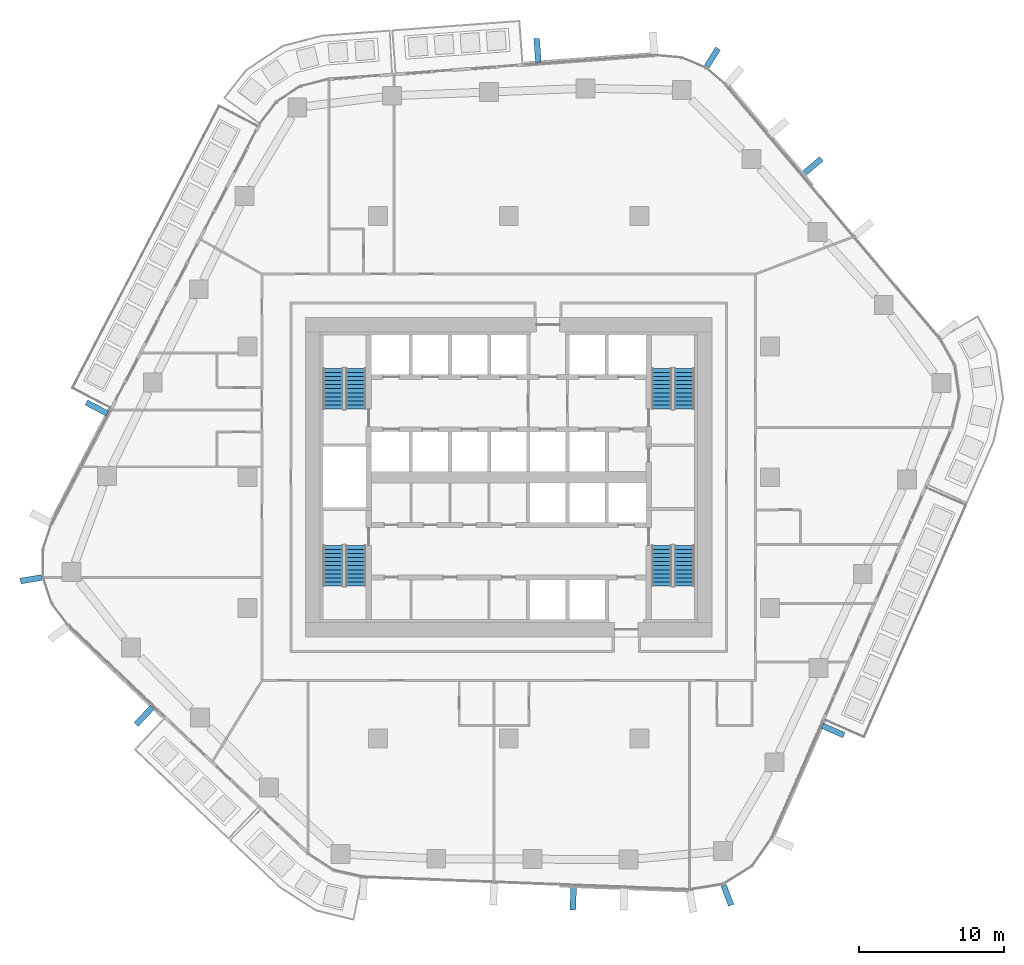
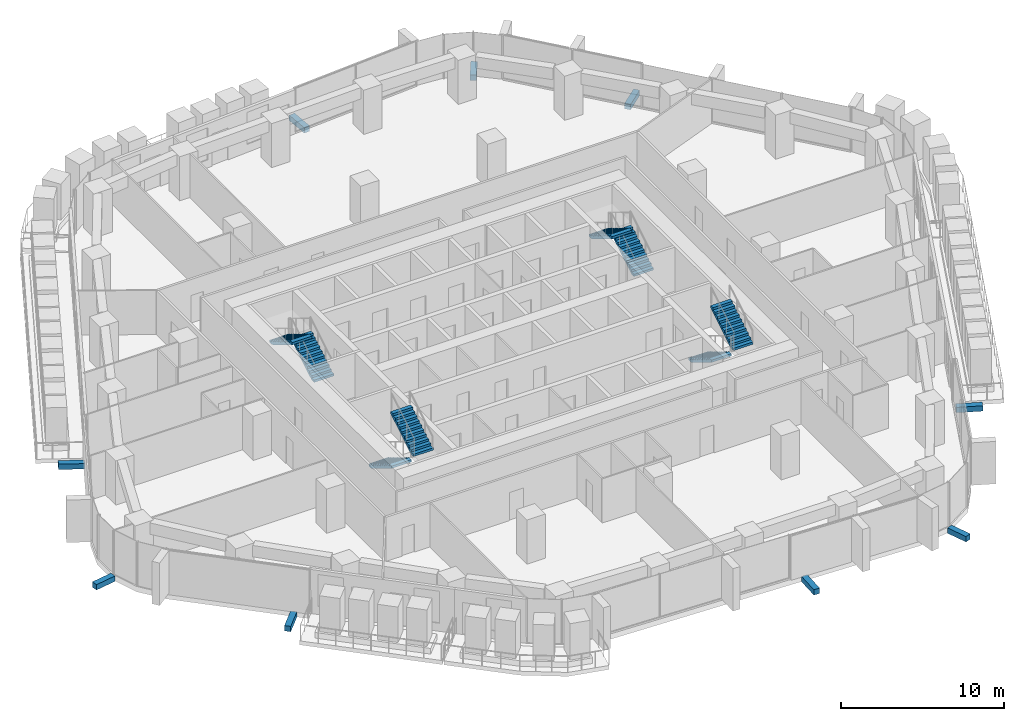
# One storey, part 17 of 23: 9 discrete accessories, 8 stair flights, 4 elements without a shape of their own.
"""IFC4 building model written with IfcOpenShell, lengths in metres."""

from ifc_helpers import new_model, si_unit, direction, frame, origin, origin_2d, place, context, subcontext, project, spatial, polyline, rectangle, outline, extrude, material, layer, layer_set, type_object, element, aggregate, save


model = new_model("IFC4")

# Units and contexts
model_context = context("Model", 3, precision=1e-05, world=origin(), true_north=direction((0.0, 1.0)))
body_context = subcontext(model_context, "Body", "Model", "MODEL_VIEW")
ifc_project = project(units=[si_unit("LENGTHUNIT", "METRE"), si_unit("AREAUNIT", "SQUARE_METRE"), si_unit("VOLUMEUNIT", "CUBIC_METRE"), si_unit("PLANEANGLEUNIT", "RADIAN"), si_unit("MASSUNIT", "GRAM", prefix="KILO")], contexts=[model_context])

# Site, building, storey
site_placement = place(None, origin())
site = spatial("IfcSite", under=ifc_project, at=site_placement, CompositionType="ELEMENT")
building_placement = place(site_placement, origin())
building = spatial("IfcBuilding", under=site, at=building_placement, Name="Dongbaek Canopy Tower", CompositionType="ELEMENT")
storey_placement = place(building_placement, frame((0.0, 0.0, 132.199951171875)))
storey = spatial("IfcBuildingStorey", under=building, at=storey_placement, Name="L29", CompositionType="ELEMENT", Elevation=132.199951171875)

# Stair, stair flights
ifc_material_1 = material(Name="Concrete C40/50", Category="concrete")
stair_type = type_object("IfcStairType", Name="Core exit stair", PredefinedType="HALF_TURN_STAIR", material=ifc_material_1)
stair_1_placement = place(storey_placement, origin())
stair_1 = element("IfcStair", 1, at=stair_1_placement, inside=storey, type_object=stair_type, Name="L29 exit stair A", PredefinedType="HALF_TURN_STAIR")
ifc_material_2 = material(Name="Concrete C40/50", Category="concrete")
ifc_layer = layer(ifc_material_2, 0.14990234375)
ifc_layer_set = layer_set([ifc_layer], Name="Core stair flight 150 waist")
stair_flight_type = type_object("IfcStairFlightType", Name="Core stair flight 150 waist", PredefinedType="STRAIGHT", material=ifc_layer_set)
stair_flight_1_placement = place(storey_placement, frame((12.10009765625, 4.699951171875, 0.0), z_axis=(0.0, 0.0, 1.0), x_axis=(0.0, 1.0, 0.0)))
stair_flight_1 = element("IfcStairFlight", 2, at=stair_flight_1_placement, type_object=stair_flight_type, Name="ST-A flight 1", NumberOfRisers=11, NumberOfTreads=10, PredefinedType="STRAIGHT", RiserHeight=0.168181818, TreadLength=0.28, context=body_context, shape_type="SweptSolid", body=[
    extrude(outline(polyline([(0.0, 0.0), (0.0, 0.168212890625), (0.280029296875, 0.168212890625), (0.280029296875, 0.33642578125), (0.56005859375, 0.33642578125), (0.56005859375, 0.504638671875), (0.840087890625, 0.504638671875), (0.840087890625, 0.672607421875), (1.1201171875, 0.672607421875), (1.1201171875, 0.8408203125), (1.39990234375, 0.8408203125), (1.39990234375, 1.009033203125), (1.679931640625, 1.009033203125), (1.679931640625, 1.17724609375), (1.9599609375, 1.17724609375), (1.9599609375, 1.345458984375), (2.239990234375, 1.345458984375), (2.239990234375, 1.513671875), (2.52001953125, 1.513671875), (2.52001953125, 1.681884765625), (2.800048828125, 1.681884765625), (2.800048828125, 1.85009765625), (2.800048828125, 1.5068359375), (0.291015625, 0.0), (0.0, 0.0)])), frame((0.0, 0.699951171875, 0.0), z_axis=(0.0, -1.0, 0.0), x_axis=(1.0, 0.0, 0.0)), (0.0, 0.0, 1.0), 1.39990234375),
])
stair_flight_2_placement = place(storey_placement, frame((10.550048828125, 7.5, 1.85009765625), z_axis=(0.0, 0.0, 1.0), x_axis=(0.0, -1.0, 0.0)))
stair_flight_2 = element("IfcStairFlight", 3, at=stair_flight_2_placement, type_object=stair_flight_type, Name="ST-A flight 2", NumberOfRisers=11, NumberOfTreads=10, PredefinedType="STRAIGHT", RiserHeight=0.168181818, TreadLength=0.28, context=body_context, shape_type="SweptSolid", body=[
    extrude(outline(polyline([(0.0, 0.0), (0.0, 0.168212890625), (0.280029296875, 0.168212890625), (0.280029296875, 0.33642578125), (0.56005859375, 0.33642578125), (0.56005859375, 0.504638671875), (0.840087890625, 0.504638671875), (0.840087890625, 0.672607421875), (1.1201171875, 0.672607421875), (1.1201171875, 0.8408203125), (1.39990234375, 0.8408203125), (1.39990234375, 1.009033203125), (1.679931640625, 1.009033203125), (1.679931640625, 1.17724609375), (1.9599609375, 1.17724609375), (1.9599609375, 1.345458984375), (2.239990234375, 1.345458984375), (2.239990234375, 1.513671875), (2.52001953125, 1.513671875), (2.52001953125, 1.681884765625), (2.800048828125, 1.681884765625), (2.800048828125, 1.85009765625), (2.800048828125, 1.5068359375), (0.291015625, 0.0), (0.0, 0.0)])), frame((0.0, 0.699951171875, 0.0), z_axis=(0.0, -1.0, 0.0), x_axis=(1.0, 0.0, 0.0)), (0.0, 0.0, 1.0), 1.39990234375),
])
aggregate(stair_1, [stair_flight_1, stair_flight_2])

stair_2_placement = place(storey_placement, origin())
stair_2 = element("IfcStair", 4, at=stair_2_placement, inside=storey, type_object=stair_type, Name="L29 exit stair C", PredefinedType="HALF_TURN_STAIR")
stair_flight_3_placement = place(storey_placement, frame((-10.550048828125, 4.699951171875, 0.0), z_axis=(0.0, 0.0, 1.0), x_axis=(0.0, 1.0, 0.0)))
stair_flight_3 = element("IfcStairFlight", 5, at=stair_flight_3_placement, type_object=stair_flight_type, Name="ST-C flight 1", NumberOfRisers=11, NumberOfTreads=10, PredefinedType="STRAIGHT", RiserHeight=0.168181818, TreadLength=0.28, context=body_context, shape_type="SweptSolid", body=[
    extrude(outline(polyline([(0.0, 0.0), (0.0, 0.168212890625), (0.280029296875, 0.168212890625), (0.280029296875, 0.33642578125), (0.56005859375, 0.33642578125), (0.56005859375, 0.504638671875), (0.840087890625, 0.504638671875), (0.840087890625, 0.672607421875), (1.1201171875, 0.672607421875), (1.1201171875, 0.8408203125), (1.39990234375, 0.8408203125), (1.39990234375, 1.009033203125), (1.679931640625, 1.009033203125), (1.679931640625, 1.17724609375), (1.9599609375, 1.17724609375), (1.9599609375, 1.345458984375), (2.239990234375, 1.345458984375), (2.239990234375, 1.513671875), (2.52001953125, 1.513671875), (2.52001953125, 1.681884765625), (2.800048828125, 1.681884765625), (2.800048828125, 1.85009765625), (2.800048828125, 1.5068359375), (0.291015625, 0.0), (0.0, 0.0)])), frame((0.0, 0.699951171875, 0.0), z_axis=(0.0, -1.0, 0.0), x_axis=(1.0, 0.0, 0.0)), (0.0, 0.0, 1.0), 1.39990234375),
])
stair_flight_4_placement = place(storey_placement, frame((-12.10009765625, 7.5, 1.85009765625), z_axis=(0.0, 0.0, 1.0), x_axis=(0.0, -1.0, 0.0)))
stair_flight_4 = element("IfcStairFlight", 6, at=stair_flight_4_placement, type_object=stair_flight_type, Name="ST-C flight 2", NumberOfRisers=11, NumberOfTreads=10, PredefinedType="STRAIGHT", RiserHeight=0.168181818, TreadLength=0.28, context=body_context, shape_type="SweptSolid", body=[
    extrude(outline(polyline([(0.0, 0.0), (0.0, 0.168212890625), (0.280029296875, 0.168212890625), (0.280029296875, 0.33642578125), (0.56005859375, 0.33642578125), (0.56005859375, 0.504638671875), (0.840087890625, 0.504638671875), (0.840087890625, 0.672607421875), (1.1201171875, 0.672607421875), (1.1201171875, 0.8408203125), (1.39990234375, 0.8408203125), (1.39990234375, 1.009033203125), (1.679931640625, 1.009033203125), (1.679931640625, 1.17724609375), (1.9599609375, 1.17724609375), (1.9599609375, 1.345458984375), (2.239990234375, 1.345458984375), (2.239990234375, 1.513671875), (2.52001953125, 1.513671875), (2.52001953125, 1.681884765625), (2.800048828125, 1.681884765625), (2.800048828125, 1.85009765625), (2.800048828125, 1.5068359375), (0.291015625, 0.0), (0.0, 0.0)])), frame((0.0, 0.699951171875, 0.0), z_axis=(0.0, -1.0, 0.0), x_axis=(1.0, 0.0, 0.0)), (0.0, 0.0, 1.0), 1.39990234375),
])
aggregate(stair_2, [stair_flight_3, stair_flight_4])

stair_3_placement = place(storey_placement, origin())
stair_3 = element("IfcStair", 7, at=stair_3_placement, inside=storey, type_object=stair_type, Name="L29 exit stair B", PredefinedType="HALF_TURN_STAIR")
stair_flight_5_placement = place(storey_placement, frame((10.550048828125, -4.699951171875, 0.0), z_axis=(0.0, 0.0, 1.0), x_axis=(0.0, -1.0, 0.0)))
stair_flight_5 = element("IfcStairFlight", 8, at=stair_flight_5_placement, type_object=stair_flight_type, Name="ST-B flight 1", NumberOfRisers=11, NumberOfTreads=10, PredefinedType="STRAIGHT", RiserHeight=0.168181818, TreadLength=0.28, context=body_context, shape_type="SweptSolid", body=[
    extrude(outline(polyline([(0.0, 0.0), (0.0, 0.168212890625), (0.280029296875, 0.168212890625), (0.280029296875, 0.33642578125), (0.56005859375, 0.33642578125), (0.56005859375, 0.504638671875), (0.840087890625, 0.504638671875), (0.840087890625, 0.672607421875), (1.1201171875, 0.672607421875), (1.1201171875, 0.8408203125), (1.39990234375, 0.8408203125), (1.39990234375, 1.009033203125), (1.679931640625, 1.009033203125), (1.679931640625, 1.17724609375), (1.9599609375, 1.17724609375), (1.9599609375, 1.345458984375), (2.239990234375, 1.345458984375), (2.239990234375, 1.513671875), (2.52001953125, 1.513671875), (2.52001953125, 1.681884765625), (2.800048828125, 1.681884765625), (2.800048828125, 1.85009765625), (2.800048828125, 1.5068359375), (0.291015625, 0.0), (0.0, 0.0)])), frame((0.0, 0.699951171875, 0.0), z_axis=(0.0, -1.0, 0.0), x_axis=(1.0, 0.0, 0.0)), (0.0, 0.0, 1.0), 1.39990234375),
])
stair_flight_6_placement = place(storey_placement, frame((12.10009765625, -7.5, 1.85009765625), z_axis=(0.0, 0.0, 1.0), x_axis=(0.0, 1.0, 0.0)))
stair_flight_6 = element("IfcStairFlight", 9, at=stair_flight_6_placement, type_object=stair_flight_type, Name="ST-B flight 2", NumberOfRisers=11, NumberOfTreads=10, PredefinedType="STRAIGHT", RiserHeight=0.168181818, TreadLength=0.28, context=body_context, shape_type="SweptSolid", body=[
    extrude(outline(polyline([(0.0, 0.0), (0.0, 0.168212890625), (0.280029296875, 0.168212890625), (0.280029296875, 0.33642578125), (0.56005859375, 0.33642578125), (0.56005859375, 0.504638671875), (0.840087890625, 0.504638671875), (0.840087890625, 0.672607421875), (1.1201171875, 0.672607421875), (1.1201171875, 0.8408203125), (1.39990234375, 0.8408203125), (1.39990234375, 1.009033203125), (1.679931640625, 1.009033203125), (1.679931640625, 1.17724609375), (1.9599609375, 1.17724609375), (1.9599609375, 1.345458984375), (2.239990234375, 1.345458984375), (2.239990234375, 1.513671875), (2.52001953125, 1.513671875), (2.52001953125, 1.681884765625), (2.800048828125, 1.681884765625), (2.800048828125, 1.85009765625), (2.800048828125, 1.5068359375), (0.291015625, 0.0), (0.0, 0.0)])), frame((0.0, 0.699951171875, 0.0), z_axis=(0.0, -1.0, 0.0), x_axis=(1.0, 0.0, 0.0)), (0.0, 0.0, 1.0), 1.39990234375),
])
aggregate(stair_3, [stair_flight_5, stair_flight_6])

stair_4_placement = place(storey_placement, origin())
stair_4 = element("IfcStair", 10, at=stair_4_placement, inside=storey, type_object=stair_type, Name="L29 exit stair D", PredefinedType="HALF_TURN_STAIR")
stair_flight_7_placement = place(storey_placement, frame((-12.10009765625, -4.699951171875, 0.0), z_axis=(0.0, 0.0, 1.0), x_axis=(0.0, -1.0, 0.0)))
stair_flight_7 = element("IfcStairFlight", 11, at=stair_flight_7_placement, type_object=stair_flight_type, Name="ST-D flight 1", NumberOfRisers=11, NumberOfTreads=10, PredefinedType="STRAIGHT", RiserHeight=0.168181818, TreadLength=0.28, context=body_context, shape_type="SweptSolid", body=[
    extrude(outline(polyline([(0.0, 0.0), (0.0, 0.168212890625), (0.280029296875, 0.168212890625), (0.280029296875, 0.33642578125), (0.56005859375, 0.33642578125), (0.56005859375, 0.504638671875), (0.840087890625, 0.504638671875), (0.840087890625, 0.672607421875), (1.1201171875, 0.672607421875), (1.1201171875, 0.8408203125), (1.39990234375, 0.8408203125), (1.39990234375, 1.009033203125), (1.679931640625, 1.009033203125), (1.679931640625, 1.17724609375), (1.9599609375, 1.17724609375), (1.9599609375, 1.345458984375), (2.239990234375, 1.345458984375), (2.239990234375, 1.513671875), (2.52001953125, 1.513671875), (2.52001953125, 1.681884765625), (2.800048828125, 1.681884765625), (2.800048828125, 1.85009765625), (2.800048828125, 1.5068359375), (0.291015625, 0.0), (0.0, 0.0)])), frame((0.0, 0.699951171875, 0.0), z_axis=(0.0, -1.0, 0.0), x_axis=(1.0, 0.0, 0.0)), (0.0, 0.0, 1.0), 1.39990234375),
])
stair_flight_8_placement = place(storey_placement, frame((-10.550048828125, -7.5, 1.85009765625), z_axis=(0.0, 0.0, 1.0), x_axis=(0.0, 1.0, 0.0)))
stair_flight_8 = element("IfcStairFlight", 12, at=stair_flight_8_placement, type_object=stair_flight_type, Name="ST-D flight 2", NumberOfRisers=11, NumberOfTreads=10, PredefinedType="STRAIGHT", RiserHeight=0.168181818, TreadLength=0.28, context=body_context, shape_type="SweptSolid", body=[
    extrude(outline(polyline([(0.0, 0.0), (0.0, 0.168212890625), (0.280029296875, 0.168212890625), (0.280029296875, 0.33642578125), (0.56005859375, 0.33642578125), (0.56005859375, 0.504638671875), (0.840087890625, 0.504638671875), (0.840087890625, 0.672607421875), (1.1201171875, 0.672607421875), (1.1201171875, 0.8408203125), (1.39990234375, 0.8408203125), (1.39990234375, 1.009033203125), (1.679931640625, 1.009033203125), (1.679931640625, 1.17724609375), (1.9599609375, 1.17724609375), (1.9599609375, 1.345458984375), (2.239990234375, 1.345458984375), (2.239990234375, 1.513671875), (2.52001953125, 1.513671875), (2.52001953125, 1.681884765625), (2.800048828125, 1.681884765625), (2.800048828125, 1.85009765625), (2.800048828125, 1.5068359375), (0.291015625, 0.0), (0.0, 0.0)])), frame((0.0, 0.699951171875, 0.0), z_axis=(0.0, -1.0, 0.0), x_axis=(1.0, 0.0, 0.0)), (0.0, 0.0, 1.0), 1.39990234375),
])
aggregate(stair_4, [stair_flight_7, stair_flight_8])

# Discrete accessories
ifc_material_3 = material(Name="Galvanised steel S355 bracket", Category="steel")
discrete_accessory_type = type_object("IfcDiscreteAccessoryType", Name="Crease fin bracket BR3 400", PredefinedType="BRACKET", material=ifc_material_3)
discrete_accessory_1_placement = place(storey_placement, frame((20.91650390625, 21.409912109375, -0.39990234375), z_axis=(0.0, 0.0, 1.0), x_axis=(0.764438901396, 0.644696181183, 0.0)))
element("IfcDiscreteAccessory", 13, at=discrete_accessory_1_placement, inside=storey, type_object=discrete_accessory_type, Name="Crease fin bracket L29 F0", PredefinedType="BRACKET", context=body_context, shape_type="SweptSolid", body=[
    extrude(rectangle(XDim=1.652099609375, YDim=0.39990234375, at=origin_2d()), origin(), (0.0, 0.0, 1.0), 0.39990234375),
])
discrete_accessory_2_placement = place(storey_placement, frame((1.9814453125, 29.413330078125, -0.39990234375), z_axis=(0.0, 0.0, 1.0), x_axis=(-0.073518437616, 0.997293858063, 0.0)))
element("IfcDiscreteAccessory", 14, at=discrete_accessory_2_placement, inside=storey, type_object=discrete_accessory_type, Name="Crease fin bracket L29 F1", PredefinedType="BRACKET", context=body_context, shape_type="SweptSolid", body=[
    extrude(rectangle(XDim=1.6484375, YDim=0.39990234375, at=origin_2d()), origin(), (0.0, 0.0, 1.0), 0.39990234375),
])
discrete_accessory_3_placement = place(storey_placement, frame((-28.38671875, 4.7734375, -0.39990234375), z_axis=(0.0, 0.0, 1.0), x_axis=(-0.886927004617, 0.461909610727, 0.0)))
element("IfcDiscreteAccessory", 15, at=discrete_accessory_3_placement, inside=storey, type_object=discrete_accessory_type, Name="Crease fin bracket L29 F2", PredefinedType="BRACKET", context=body_context, shape_type="SweptSolid", body=[
    extrude(rectangle(XDim=1.623779296875, YDim=0.39990234375, at=origin_2d()), origin(), (0.0, 0.0, 1.0), 0.39990234375),
])
discrete_accessory_4_placement = place(storey_placement, frame((-25.114013671875, -16.4423828125, -0.39990234375), z_axis=(0.0, 0.0, 1.0), x_axis=(-0.689302234071, -0.724473898843, 0.0)))
element("IfcDiscreteAccessory", 16, at=discrete_accessory_4_placement, inside=storey, type_object=discrete_accessory_type, Name="Crease fin bracket L29 F3", PredefinedType="BRACKET", context=body_context, shape_type="SweptSolid", body=[
    extrude(rectangle(XDim=1.631591796875, YDim=0.39990234375, at=origin_2d()), origin(), (0.0, 0.0, 1.0), 0.39990234375),
])
discrete_accessory_5_placement = place(storey_placement, frame((4.443603515625, -29.0078125, -0.39990234375), z_axis=(0.0, 0.0, 1.0), x_axis=(-0.038586629205, -0.999255258703, 0.0)))
element("IfcDiscreteAccessory", 17, at=discrete_accessory_5_placement, inside=storey, type_object=discrete_accessory_type, Name="Crease fin bracket L29 F4", PredefinedType="BRACKET", context=body_context, shape_type="SweptSolid", body=[
    extrude(rectangle(XDim=1.63720703125, YDim=0.39990234375, at=origin_2d()), origin(), (0.0, 0.0, 1.0), 0.39990234375),
])
discrete_accessory_6_placement = place(storey_placement, frame((22.35791015625, -17.44921875, -0.39990234375), z_axis=(0.0, 0.0, 1.0), x_axis=(0.915562245858, -0.402176297112, 0.0)))
element("IfcDiscreteAccessory", 18, at=discrete_accessory_6_placement, inside=storey, type_object=discrete_accessory_type, Name="Crease fin bracket L29 F5", PredefinedType="BRACKET", context=body_context, shape_type="SweptSolid", body=[
    extrude(rectangle(XDim=1.63134765625, YDim=0.39990234375, at=origin_2d()), origin(), (0.0, 0.0, 1.0), 0.39990234375),
])
for number, where, z_axis, x_axis, name in (
    (19, (14.031982421875, 28.919189453125, -0.39990234375), (0.0, 0.0, 1.0), (0.527440762672, 0.849591808972, 0.0), "Corner fin bracket L29 K1"),
    (20, (-32.922119140625, -7.032958984375, -0.39990234375), (0.0, 0.0, 1.0), (-0.986408330282, -0.164312525236, 0.0), "Corner fin bracket L29 K3"),
    (21, (15.06591796875, -28.80615234375, -0.39990234375), (0.0, 0.0, 1.0), (0.352183074996, -0.935931130846, 0.0), "Corner fin bracket L29 K5"),
):
    element("IfcDiscreteAccessory", number, at=place(storey_placement, frame(where, z_axis=z_axis, x_axis=x_axis)), inside=storey, type_object=discrete_accessory_type, Name=name, PredefinedType="BRACKET", context=body_context, shape_type="SweptSolid", body=[
        extrude(rectangle(XDim=1.469970703125, YDim=0.39990234375, at=origin_2d()), origin(), (0.0, 0.0, 1.0), 0.39990234375),
    ])

save(model, "model.ifc")
